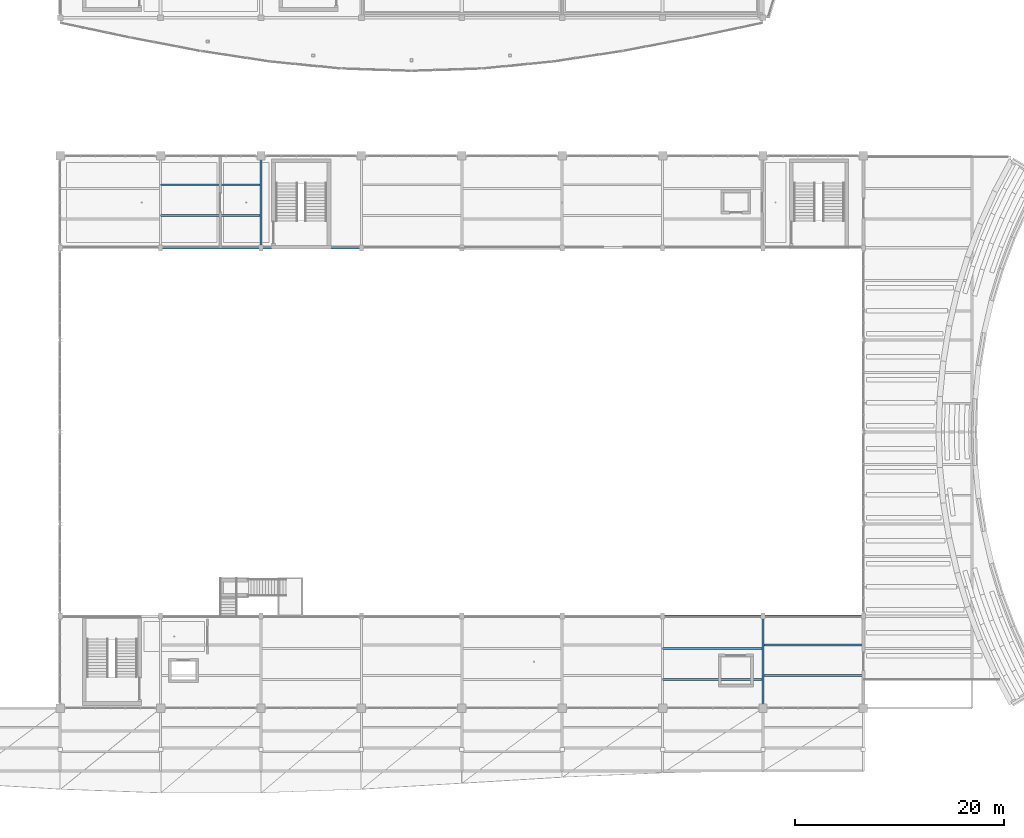
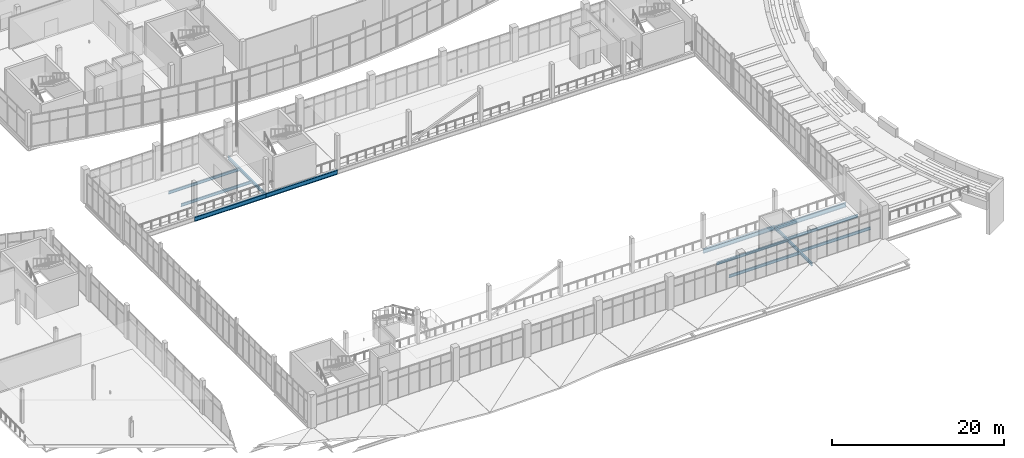
# One storey, part 56 of 157: 12 beams.
"""IFC4 building model written with IfcOpenShell, lengths in metres."""

from ifc_helpers import new_model, si_unit, direction, frame, origin, origin_2d, place, context, subcontext, project, spatial, i_section, extrude, material, material_profile, profile_set, type_object, element, save


model = new_model("IFC4")

# Units and contexts
model_context = context("Model", 3, precision=1e-05, world=origin(), true_north=direction((0.0, 1.0)))
body_context = subcontext(model_context, "Body", "Model", "MODEL_VIEW")
ifc_project = project(units=[si_unit("LENGTHUNIT", "METRE"), si_unit("AREAUNIT", "SQUARE_METRE"), si_unit("VOLUMEUNIT", "CUBIC_METRE"), si_unit("PLANEANGLEUNIT", "RADIAN"), si_unit("MASSUNIT", "GRAM", prefix="KILO")], contexts=[model_context])

# Site, building, storey
site_placement = place(None, origin())
site = spatial("IfcSite", under=ifc_project, at=site_placement, CompositionType="ELEMENT")
building_placement = place(site_placement, origin())
building = spatial("IfcBuilding", under=site, at=building_placement, Name="Chalmorin Arch Market", CompositionType="ELEMENT")
storey_placement = place(building_placement, frame((0.0, 0.0, 4.800048828125)))
storey = spatial("IfcBuildingStorey", under=building, at=storey_placement, Name="L01", CompositionType="ELEMENT", Elevation=4.800048828125)

# Beams
ifc_material = material(Name="Steel A992 Grade 50", Category="steel")
ifc_material_profile_1 = material_profile(ifc_material, i_section(OverallWidth=0.193115234375, OverallDepth=0.466064453125, WebThickness=0.011474609375, FlangeThickness=0.01904296875, FilletRadius=0.02001953125, at=origin_2d()), Name="W18X65")
ifc_profile_set_1 = profile_set([ifc_material_profile_1], Name="Steel A992 Grade 50")
beam_type_1 = type_object("IfcBeamType", Name="FloorSteelBeam-W18X65", PredefinedType="BEAM", material=ifc_profile_set_1)
for number, where, z_axis, x_axis, name in (
    (1, (115.199951171875, 6.0, -0.485107421875), (0.0, 1.0, 0.0), (-1.0, 0.0, 0.0), "BM-W18A-0621"),
    (2, (67.199951171875, 50.0, -0.485107421875), (0.0, 1.0, 0.0), (-1.0, 0.0, 0.0), "BM-W18A-0645"),
):
    element("IfcBeam", number, at=place(storey_placement, frame(where, z_axis=z_axis, x_axis=x_axis)), inside=storey, type_object=beam_type_1, Name=name, PredefinedType="BEAM", context=body_context, shape_type="SweptSolid", body=[
        extrude(i_section(OverallWidth=0.193115234375, OverallDepth=0.466064453125, WebThickness=0.011474609375, FlangeThickness=0.01904296875, FilletRadius=0.02001953125, at=origin_2d()), origin(), (0.0, 0.0, 1.0), 8.800048828125),
    ])
ifc_material_profile_2 = material_profile(ifc_material, i_section(OverallWidth=0.22802734375, OverallDepth=0.60791015625, WebThickness=0.01123046875, FlangeThickness=0.017333984375, FilletRadius=0.02392578125, at=origin_2d()), Name="W24X76")
ifc_profile_set_2 = profile_set([ifc_material_profile_2], Name="Steel A992 Grade 50")
beam_type_2 = type_object("IfcBeamType", Name="PrimarySteelGirder-W24X76", PredefinedType="BEAM", material=ifc_profile_set_2)
beam_1_placement = place(storey_placement, frame((105.60009765625, 14.800048828125, -0.55615234375), z_axis=(1.0, 0.0, 0.0), x_axis=(0.0, 1.0, 0.0)))
element("IfcBeam", 3, at=beam_1_placement, inside=storey, type_object=beam_type_2, Name="BG-W24B-0620", PredefinedType="BEAM", context=body_context, shape_type="SweptSolid", body=[
    extrude(i_section(OverallWidth=0.22802734375, OverallDepth=0.60791015625, WebThickness=0.01123046875, FlangeThickness=0.017333984375, FilletRadius=0.02392578125, at=origin_2d()), origin(), (0.0, 0.0, 1.0), 9.599853515625),
])
beam_2_placement = place(storey_placement, frame((115.199951171875, 14.800048828125, -0.64599609375), z_axis=(1.0, 0.0, 0.0), x_axis=(0.0, 1.0, 0.0)))
element("IfcBeam", 4, at=beam_2_placement, inside=storey, type_object=beam_type_2, Name="BG-W24B-0623", PredefinedType="BEAM", context=body_context, shape_type="SweptSolid", body=[
    extrude(i_section(OverallWidth=0.22802734375, OverallDepth=0.60791015625, WebThickness=0.01123046875, FlangeThickness=0.017333984375, FilletRadius=0.02392578125, at=origin_2d()), origin(), (0.0, 0.0, 1.0), 9.60009765625),
])
beam_3_placement = place(storey_placement, frame((57.60009765625, 50.0, -0.55615234375), z_axis=(1.0, 0.0, 0.0), x_axis=(0.0, 1.0, 0.0)))
element("IfcBeam", 5, at=beam_3_placement, inside=storey, type_object=beam_type_2, Name="BG-W24B-0643", PredefinedType="BEAM", context=body_context, shape_type="SweptSolid", body=[
    extrude(i_section(OverallWidth=0.22802734375, OverallDepth=0.60791015625, WebThickness=0.01123046875, FlangeThickness=0.017333984375, FilletRadius=0.02392578125, at=origin_2d()), origin(), (0.0, 0.0, 1.0), 9.599853515625),
])
beam_4_placement = place(storey_placement, frame((67.199951171875, 50.0, -0.55615234375), z_axis=(1.0, 0.0, 0.0), x_axis=(0.0, 1.0, 0.0)))
element("IfcBeam", 6, at=beam_4_placement, inside=storey, type_object=beam_type_2, Name="BG-W24B-0646", PredefinedType="BEAM", context=body_context, shape_type="SweptSolid", body=[
    extrude(i_section(OverallWidth=0.22802734375, OverallDepth=0.60791015625, WebThickness=0.01123046875, FlangeThickness=0.017333984375, FilletRadius=0.02392578125, at=origin_2d()), origin(), (0.0, 0.0, 1.0), 9.60009765625),
])
ifc_material_profile_3 = material_profile(ifc_material, i_section(OverallWidth=0.177978515625, OverallDepth=0.403076171875, WebThickness=0.007568359375, FlangeThickness=0.010986328125, FilletRadius=0.01806640625, at=origin_2d()), Name="W16X36")
ifc_profile_set_3 = profile_set([ifc_material_profile_3], Name="Steel A992 Grade 50")
beam_type_3 = type_object("IfcBeamType", Name="SecondaryFloorJoist-W16X36", PredefinedType="JOIST", material=ifc_profile_set_3)
for number, where, z_axis, x_axis, name in (
    (7, (105.60009765625, 8.75341796875, -0.45361328125), (1.0, 0.0, 0.0), (0.0, 1.0, 0.0), "BJ-W16B-0635"),
    (8, (105.60009765625, 11.686767578125, -0.45361328125), (1.0, 0.0, 0.0), (0.0, 1.0, 0.0), "BJ-W16B-0636"),
):
    element("IfcBeam", number, at=place(storey_placement, frame(where, z_axis=z_axis, x_axis=x_axis)), inside=storey, type_object=beam_type_3, Name=name, PredefinedType="JOIST", context=body_context, shape_type="SweptSolid", body=[
        extrude(i_section(OverallWidth=0.177978515625, OverallDepth=0.403076171875, WebThickness=0.007568359375, FlangeThickness=0.010986328125, FilletRadius=0.01806640625, at=origin_2d()), origin(), (0.0, 0.0, 1.0), 9.599853515625),
    ])
for number, where, z_axis, x_axis, name in (
    (9, (115.199951171875, 9.11328125, -0.54345703125), (1.0, 0.0, 0.0), (0.0, 1.0, 0.0), "BJ-W16B-0637"),
    (10, (115.199951171875, 12.046630859375, -0.54345703125), (1.0, 0.0, 0.0), (0.0, 1.0, 0.0), "BJ-W16B-0638"),
):
    element("IfcBeam", number, at=place(storey_placement, frame(where, z_axis=z_axis, x_axis=x_axis)), inside=storey, type_object=beam_type_3, Name=name, PredefinedType="JOIST", context=body_context, shape_type="SweptSolid", body=[
        extrude(i_section(OverallWidth=0.177978515625, OverallDepth=0.403076171875, WebThickness=0.007568359375, FlangeThickness=0.010986328125, FilletRadius=0.01806640625, at=origin_2d()), origin(), (0.0, 0.0, 1.0), 9.60009765625),
    ])
for number, where, z_axis, x_axis, name in (
    (11, (57.60009765625, 53.11328125, -0.45361328125), (1.0, 0.0, 0.0), (0.0, 1.0, 0.0), "BJ-W16B-0666"),
    (12, (57.60009765625, 56.046630859375, -0.45361328125), (1.0, 0.0, 0.0), (0.0, 1.0, 0.0), "BJ-W16B-0667"),
):
    element("IfcBeam", number, at=place(storey_placement, frame(where, z_axis=z_axis, x_axis=x_axis)), inside=storey, type_object=beam_type_3, Name=name, PredefinedType="JOIST", context=body_context, shape_type="SweptSolid", body=[
        extrude(i_section(OverallWidth=0.177978515625, OverallDepth=0.403076171875, WebThickness=0.007568359375, FlangeThickness=0.010986328125, FilletRadius=0.01806640625, at=origin_2d()), origin(), (0.0, 0.0, 1.0), 9.599853515625),
    ])

save(model, "model.ifc")
